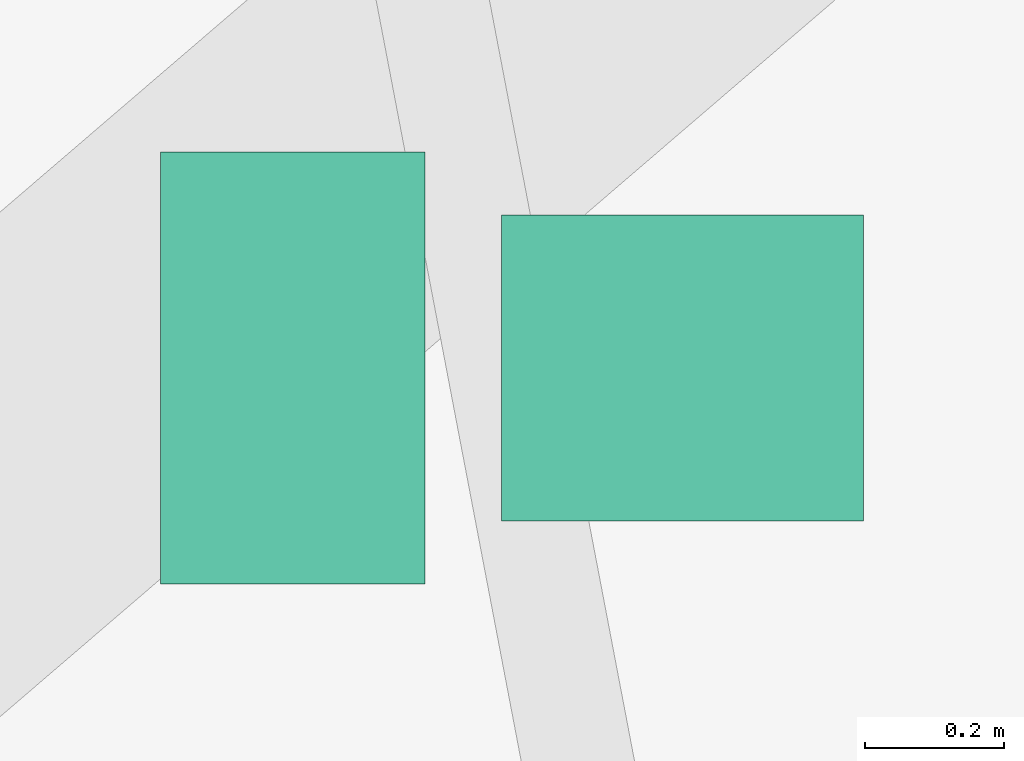
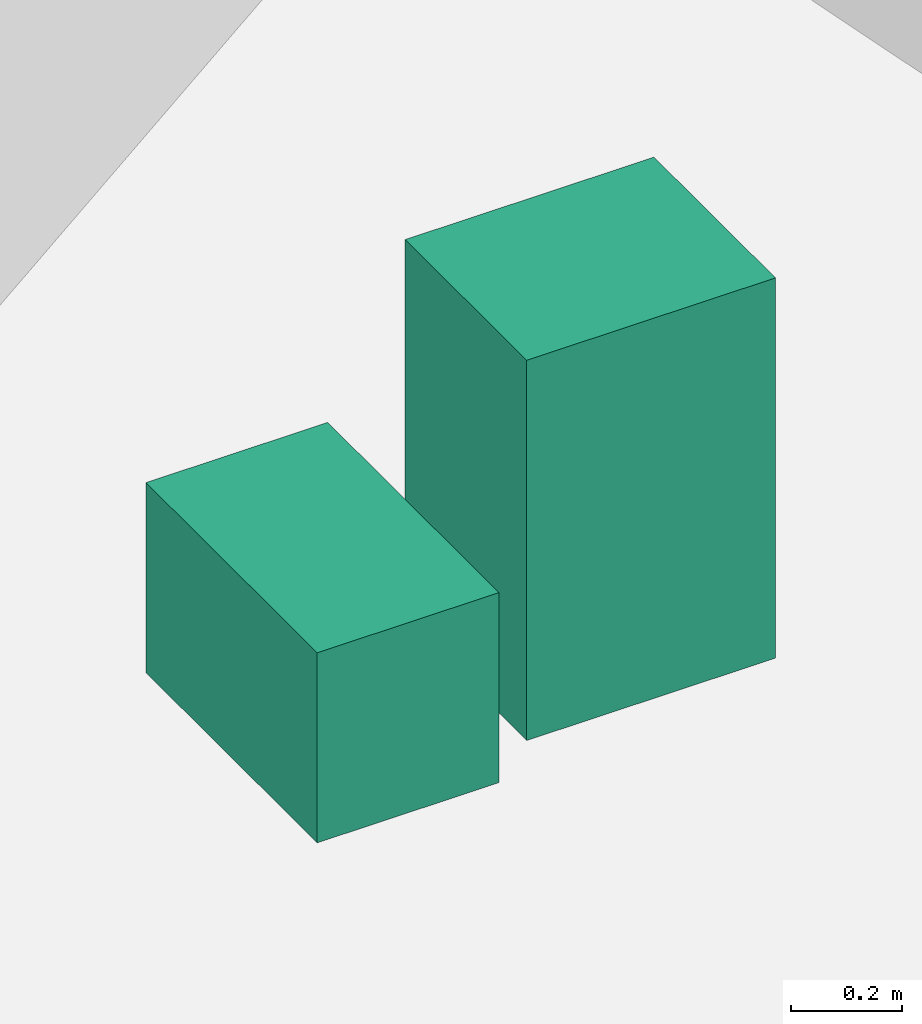
# One storey, part 11 of 11: 2 sanitary terminals.
"""IFC4 building model written with IfcOpenShell, lengths in metres."""

import ifcopenshell
import ifcopenshell.guid

model = None  # the IFC model being written
_history = None  # IfcOwnerHistory: only IFC2X3 demands one
_inside = {}  # id of a spatial element -> (the spatial element, [elements in it])
_under = {}  # id of a project, library or spatial element -> (it, [spatial elements below it])
_declared = {}  # id of a project -> (the project, [libraries it declares])
_typed = {}  # id of a type object -> (the type object, [elements of that type])
_made_of = {}  # id of a material, layer set ... -> (it, [elements and type objects made of it])


def new_model(schema):
    """Start an empty IFC model of exactly this schema.

    Asked for "IFC4X3", IfcOpenShell would pick the latest addendum, in which some entities
    have other attributes; the version numbers below select the first issue.
    IFC2X3 requires an IfcOwnerHistory on every rooted entity: one is made here for all.
    """
    global model, _history
    if schema == "IFC4X3":
        model = ifcopenshell.file(schema_version=(4, 3, 0, 0))
    else:
        model = ifcopenshell.file(schema=schema)
    _inside.clear()
    _under.clear()
    _declared.clear()
    _typed.clear()
    _made_of.clear()
    _history = None
    if model.schema == "IFC2X3":
        org = make("IfcOrganization", Name="unknown")
        user = make(
            "IfcPersonAndOrganization",
            ThePerson=make("IfcPerson", FamilyName="unknown"),
            TheOrganization=org,
        )
        app = make(
            "IfcApplication",
            ApplicationDeveloper=org,
            Version="unknown",
            ApplicationFullName="unknown",
            ApplicationIdentifier="unknown",
        )
        _history = make(
            "IfcOwnerHistory",
            OwningUser=user,
            OwningApplication=app,
            ChangeAction="ADDED",
            CreationDate=0,
        )
    return model


def make(cls, **values):
    """One entity of the class cls with the attributes given. An attribute that is None is left unset."""
    return model.create_entity(
        cls, **{name: value for name, value in values.items() if value is not None}
    )


def rooted(cls, **values):
    """An entity with a GlobalId (a new one), such as an element, a storey or a relation."""
    return make(cls, GlobalId=ifcopenshell.guid.new(), OwnerHistory=_history, **values)


def si_unit(unit_type, name, prefix=None):
    """IfcSIUnit, for example si_unit("LENGTHUNIT", "METRE", prefix="MILLI")."""
    return make("IfcSIUnit", UnitType=unit_type, Prefix=prefix, Name=name)


def assignment(units):
    """IfcUnitAssignment: the units of a project."""
    return None if units is None else make("IfcUnitAssignment", Units=units)


def point(xyz):
    """IfcCartesianPoint."""
    return None if xyz is None else make("IfcCartesianPoint", Coordinates=xyz)


def direction(xyz):
    """IfcDirection."""
    return None if xyz is None else make("IfcDirection", DirectionRatios=xyz)


def frame(location, z_axis=None, x_axis=None):
    """IfcAxis2Placement3D, a coordinate frame: its origin and axes. An axis left out is left unset."""
    return make(
        "IfcAxis2Placement3D",
        Location=point(location),
        Axis=direction(z_axis),
        RefDirection=direction(x_axis),
    )


def frame_2d(location, x_axis=None):
    """IfcAxis2Placement2D, a coordinate frame in the plane: its origin and x axis."""
    return make(
        "IfcAxis2Placement2D", Location=point(location), RefDirection=direction(x_axis)
    )


def origin():
    """The frame at (0, 0, 0) with its axes left unset."""
    return frame((0.0, 0.0, 0.0))


def origin_2d():
    """The frame at (0, 0) in the plane with its x axis left unset."""
    return frame_2d((0.0, 0.0))


def place(relative_to, where):
    """IfcLocalPlacement: puts the frame where relative to a parent placement (None: the world)."""
    return make(
        "IfcLocalPlacement", PlacementRelTo=relative_to, RelativePlacement=where
    )


def context(
    kind, dimensions, precision=None, world=None, true_north=None, identifier=None
):
    """IfcGeometricRepresentationContext, for example the 3D "Model" context."""
    return make(
        "IfcGeometricRepresentationContext",
        ContextIdentifier=identifier,
        ContextType=kind,
        CoordinateSpaceDimension=dimensions,
        Precision=precision,
        WorldCoordinateSystem=world,
        TrueNorth=true_north,
    )


def subcontext(parent, identifier, kind, view, scale=None):
    """IfcGeometricRepresentationSubContext, for example "Body" below "Model"."""
    return make(
        "IfcGeometricRepresentationSubContext",
        ContextIdentifier=identifier,
        ContextType=kind,
        ParentContext=parent,
        TargetScale=scale,
        TargetView=view,
    )


def project(units=None, contexts=None):
    """IfcProject with its units and contexts."""
    return rooted(
        "IfcProject",
        Name="project",
        RepresentationContexts=contexts,
        UnitsInContext=assignment(units),
    )


def spatial(cls, under=None, at=None, **own):
    """A site, building, storey or space (cls), placed at a placement, below another one or the project."""
    s = rooted(cls, ObjectPlacement=at, **own)
    if under is not None:
        _under.setdefault(under.id(), (under, []))[1].append(s)
    return s


def profile(cls, at=None, kind="AREA", **sizes):
    """A parametric profile (cls). Its sizes go by their IFC names, for example OverallWidth=200.0."""
    return make(cls, ProfileType=kind, Position=at, **sizes)


def rectangle(**sizes):
    """IfcRectangleProfileDef."""
    return profile("IfcRectangleProfileDef", **sizes)


def extrude(swept, where, along, depth):
    """IfcExtrudedAreaSolid: the profile swept, set in the frame where, extruded along a direction by depth."""
    return make(
        "IfcExtrudedAreaSolid",
        SweptArea=swept,
        Position=where,
        ExtrudedDirection=direction(along),
        Depth=depth,
    )


def shape(context_of_items, identifier, shape_type, items):
    """IfcShapeRepresentation: the items that make up one representation, for example the "Body"."""
    return make(
        "IfcShapeRepresentation",
        ContextOfItems=context_of_items,
        RepresentationIdentifier=identifier,
        RepresentationType=shape_type,
        Items=items,
    )


def source(mapping_origin, context_of_items, identifier, shape_type, items):
    """IfcRepresentationMap: a shape defined once, which mapped items show again and again."""
    return make(
        "IfcRepresentationMap",
        MappingOrigin=mapping_origin,
        MappedRepresentation=shape(context_of_items, identifier, shape_type, items),
    )


def transform(
    local_origin,
    x_axis=None,
    y_axis=None,
    z_axis=None,
    scale=None,
    scale2=None,
    scale3=None,
    uniform=True,
):
    """IfcCartesianTransformationOperator3D, or its non-uniform kind. x_axis, y_axis, z_axis: its Axis1, 2, 3."""
    if uniform:
        return make(
            "IfcCartesianTransformationOperator3D",
            Axis1=direction(x_axis),
            Axis2=direction(y_axis),
            LocalOrigin=point(local_origin),
            Scale=scale,
            Axis3=direction(z_axis),
        )
    return make(
        "IfcCartesianTransformationOperator3DnonUniform",
        Axis1=direction(x_axis),
        Axis2=direction(y_axis),
        LocalOrigin=point(local_origin),
        Scale=scale,
        Axis3=direction(z_axis),
        Scale2=scale2,
        Scale3=scale3,
    )


def mapped(mapping_source, mapping_target):
    """IfcMappedItem: shows the shape of a source again, moved by a transform."""
    return make(
        "IfcMappedItem", MappingSource=mapping_source, MappingTarget=mapping_target
    )


def material(Name=None, Category=None):
    """IfcMaterial."""
    return make("IfcMaterial", Name=Name, Category=Category)


def made_of(thing, what):
    """Note that an element or type object is made of a material, layer set ...; save() writes the relation."""
    if what is not None:
        _made_of.setdefault(what.id(), (what, []))[1].append(thing)
    return thing


def type_object(cls, material=None, **own):
    """A type object (cls), such as IfcWallType, which elements share."""
    return made_of(rooted(cls, **own), material)


def element(
    cls,
    number,
    at=None,
    inside=None,
    cuts=None,
    type_object=None,
    material=None,
    context=None,
    identifier="Body",
    shape_type=None,
    held_by="IfcProductDefinitionShape",
    body=None,
    shapes=None,
    **own,
):
    """One element of the class cls, such as IfcWall. Its Tag is "e" and its number.

    at: its placement. inside: the storey or other place that contains it. cuts: it is an
    opening in that element (IfcRelVoidsElement). A single representation is given by context,
    identifier, shape_type and body (its items); several are given by shapes. held_by: the class
    of the entity that holds the representations. save() writes the other relations.
    """
    e = rooted(cls, Tag="e%d" % number, ObjectPlacement=at, **own)
    if body is not None:
        shapes = [shape(context, identifier, shape_type, body)]
    if shapes is not None:
        e.Representation = make(held_by, Representations=shapes)
    if inside is not None:
        _inside.setdefault(inside.id(), (inside, []))[1].append(e)
    if cuts is not None:
        rooted(
            "IfcRelVoidsElement", RelatingBuildingElement=cuts, RelatedOpeningElement=e
        )
    if type_object is not None:
        _typed.setdefault(type_object.id(), (type_object, []))[1].append(e)
    return made_of(e, material)


def aggregate(whole, parts):
    """IfcRelAggregates: a whole, such as a stair, and the parts it consists of."""
    return rooted("IfcRelAggregates", RelatingObject=whole, RelatedObjects=parts)


def save(model, path):
    """Write the relations noted so far, then the file.

    IfcRelAggregates (storeys below a building ...), IfcRelContainedInSpatialStructure (elements
    in a storey), IfcRelDefinesByType, IfcRelAssociatesMaterial and IfcRelDeclares: one each for
    every whole, place, type object, material and project.
    """
    for whole, parts in _under.values():
        aggregate(whole, parts)
    for where, things in _inside.values():
        rooted(
            "IfcRelContainedInSpatialStructure",
            RelatedElements=things,
            RelatingStructure=where,
        )
    for kind, things in _typed.values():
        rooted("IfcRelDefinesByType", RelatedObjects=things, RelatingType=kind)
    for what, things in _made_of.values():
        rooted("IfcRelAssociatesMaterial", RelatedObjects=things, RelatingMaterial=what)
    for by, libraries in _declared.values():
        rooted("IfcRelDeclares", RelatingContext=by, RelatedDefinitions=libraries)
    model.write(path)


model = new_model("IFC4")

# Units and contexts
model_context = context("Model", 3, precision=1e-05, world=origin(), true_north=direction((0.0, 1.0)))
body_context = subcontext(model_context, "Body", "Model", "MODEL_VIEW")
ifc_project = project(units=[si_unit("LENGTHUNIT", "METRE"), si_unit("AREAUNIT", "SQUARE_METRE"), si_unit("VOLUMEUNIT", "CUBIC_METRE"), si_unit("PLANEANGLEUNIT", "RADIAN"), si_unit("MASSUNIT", "GRAM", prefix="KILO")], contexts=[model_context])

# Site, building, storey
site_placement = place(None, origin())
site = spatial("IfcSite", under=ifc_project, at=site_placement, CompositionType="ELEMENT")
building_placement = place(site_placement, origin())
building = spatial("IfcBuilding", under=site, at=building_placement, Name="Qafzar Sky-Pleat Residences", CompositionType="ELEMENT")
storey_placement = place(building_placement, frame((0.0, 0.0, 221.199951171875)))
storey = spatial("IfcBuildingStorey", under=building, at=storey_placement, Name="L66", CompositionType="ELEMENT", Elevation=221.199951171875)

# Sanitary terminals
ifc_material = material(Name="Vitreous china sanitaryware")
sanitary_terminal_type_1 = type_object("IfcSanitaryTerminalType", Name="SAN-WC-PAN", PredefinedType="TOILETPAN", material=ifc_material)
shared_shape_1 = source(origin(), body_context, "Body", "SweptSolid", [
    extrude(rectangle(XDim=0.3798828125, YDim=0.6201171875, at=origin_2d()), origin(), (0.0, 0.0, 1.0), 0.419921875),
])
sanitary_terminal_1_placement = place(storey_placement, frame((39.677978515625, 30.823486328125, 0.0), z_axis=(0.0, 0.0, 1.0), x_axis=(1.0, 0.0, 0.0)))
element("IfcSanitaryTerminal", 1, at=sanitary_terminal_1_placement, inside=storey, type_object=sanitary_terminal_type_1, Name="L66 Accessible Shared Washroom WC Pan", PredefinedType="TOILETPAN", context=body_context, shape_type="MappedRepresentation", body=[
    mapped(shared_shape_1, transform((0.0, 0.0, 0.0), x_axis=(1.0, 0.0, 0.0), y_axis=(0.0, 1.0, 0.0), z_axis=(0.0, 0.0, 1.0), scale=1.0)),
])
sanitary_terminal_type_2 = type_object("IfcSanitaryTerminalType", Name="SAN-BASIN", PredefinedType="WASHHANDBASIN", material=ifc_material)
shared_shape_2 = source(origin(), body_context, "Body", "SweptSolid", [
    extrude(rectangle(XDim=0.52001953125, YDim=0.43994140625, at=origin_2d()), origin(), (0.0, 0.0, 1.0), 0.840087890625),
])
sanitary_terminal_2_placement = place(storey_placement, frame((40.23779296875, 30.823486328125, 0.0), z_axis=(0.0, 0.0, 1.0), x_axis=(1.0, 0.0, 0.0)))
element("IfcSanitaryTerminal", 2, at=sanitary_terminal_2_placement, inside=storey, type_object=sanitary_terminal_type_2, Name="L66 Accessible Shared Washroom Pedestal Washbasin", PredefinedType="WASHHANDBASIN", context=body_context, shape_type="MappedRepresentation", body=[
    mapped(shared_shape_2, transform((0.0, 0.0, 0.0), x_axis=(1.0, 0.0, 0.0), y_axis=(0.0, 1.0, 0.0), z_axis=(0.0, 0.0, 1.0), scale=1.0)),
])

save(model, "model.ifc")
